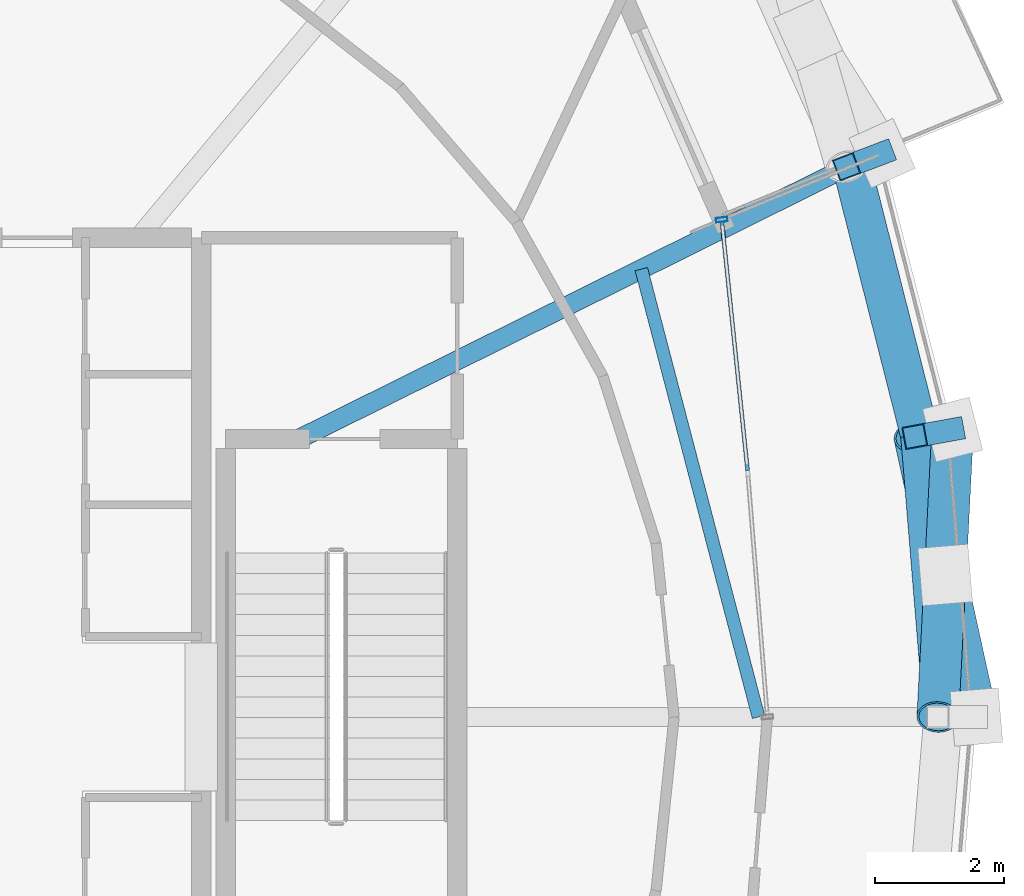
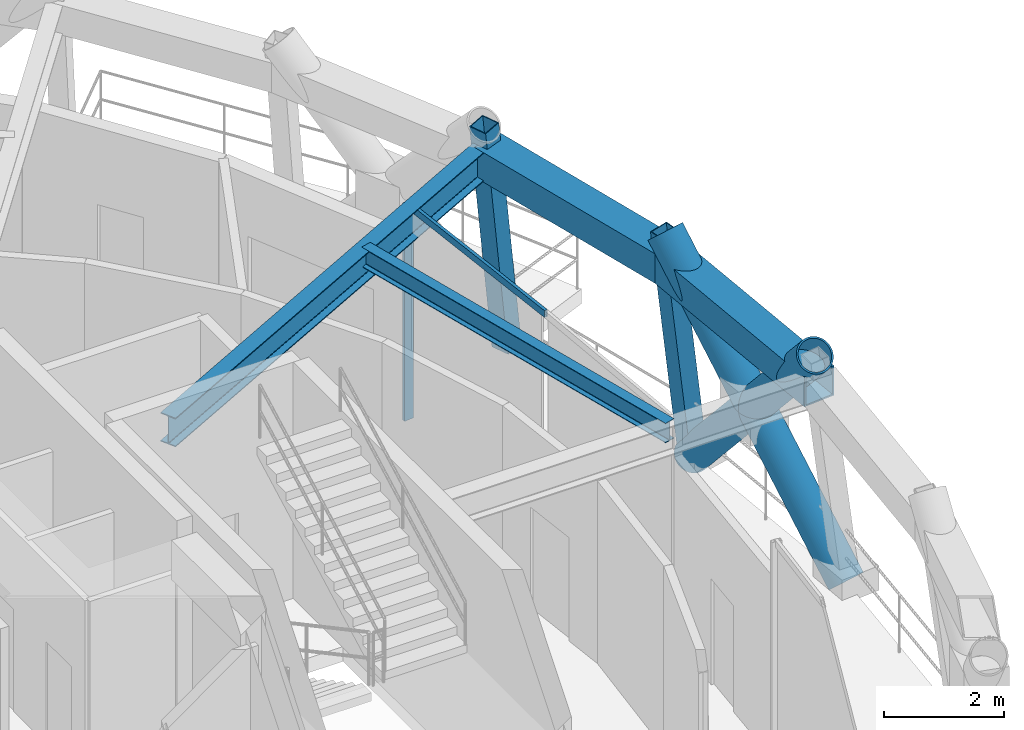
# One storey, part 4 of 11: 7 members, 4 beams, 1 element without a shape of its own.
"""IFC4 building model written with IfcOpenShell, lengths in metres."""

from ifc_helpers import new_model, si_unit, direction, frame, origin, origin_2d, place, context, subcontext, project, spatial, hollow_rectangle, hollow_circle, i_section, extrude, material, layer, layer_set, material_profile, profile_set, type_object, element, aggregate, save


model = new_model("IFC4")

# Units and contexts
model_context = context("Model", 3, precision=1e-05, world=origin(), true_north=direction((0.0, 1.0)))
body_context = subcontext(model_context, "Body", "Model", "MODEL_VIEW")
ifc_project = project(units=[si_unit("LENGTHUNIT", "METRE"), si_unit("AREAUNIT", "SQUARE_METRE"), si_unit("VOLUMEUNIT", "CUBIC_METRE"), si_unit("PLANEANGLEUNIT", "RADIAN"), si_unit("MASSUNIT", "GRAM", prefix="KILO")], contexts=[model_context])

# Site, building, storey
site_placement = place(None, origin())
site = spatial("IfcSite", under=ifc_project, at=site_placement, CompositionType="ELEMENT")
building_placement = place(site_placement, origin())
building = spatial("IfcBuilding", under=site, at=building_placement, Name="Veldorina Hangang Commons", CompositionType="ELEMENT")
storey_placement = place(building_placement, frame((0.0, 0.0, 297.60009765625)))
storey = spatial("IfcBuildingStorey", under=building, at=storey_placement, Name="L78", CompositionType="ELEMENT", Elevation=297.60009765625)

# Beams
ifc_material_1 = material(Name="Steel SM460-TMC", Category="steel")
ifc_material_profile_1 = material_profile(ifc_material_1, hollow_rectangle(XDim=0.60009765625, YDim=0.60009765625, WallThickness=0.030029296875, at=origin_2d()), Name="BOX-600x600x30")
ifc_profile_set_1 = profile_set([ifc_material_profile_1], Name="Steel SM460-TMC")
beam_type_1 = type_object("IfcBeamType", Name="BM-BLT600", PredefinedType="BEAM", material=ifc_profile_set_1)
beam_1_placement = place(storey_placement, frame((50.732421875, 24.0, 4.139892578125), z_axis=(-0.081977609852, 0.99663417134, 0.0), x_axis=(-0.99663417134, -0.081977609852, 0.0)))
element("IfcBeam", 1, at=beam_1_placement, inside=storey, type_object=beam_type_1, Name="L78 perimeter hoop ring beam 00", PredefinedType="BEAM", context=body_context, shape_type="SweptSolid", body=[
    extrude(hollow_rectangle(XDim=0.60009765625, YDim=0.60009765625, WallThickness=0.030029296875, at=origin_2d()), origin(), (0.0, 0.0, 1.0), 4.389892578125),
])
beam_2_placement = place(storey_placement, frame((50.37255859375, 28.375, 4.139892578125), z_axis=(-0.245618613612, 0.969366544011, 0.0), x_axis=(-0.969366544011, -0.245618613612, 0.0)))
element("IfcBeam", 2, at=beam_2_placement, inside=storey, type_object=beam_type_1, Name="L78 perimeter hoop ring beam 01", PredefinedType="BEAM", context=body_context, shape_type="SweptSolid", body=[
    extrude(hollow_rectangle(XDim=0.60009765625, YDim=0.60009765625, WallThickness=0.030029296875, at=origin_2d()), origin(), (0.0, 0.0, 1.0), 4.33984375),
])
ifc_material_profile_2 = material_profile(ifc_material_1, i_section(OverallWidth=0.300048828125, OverallDepth=0.587890625, WebThickness=0.011962890625, FlangeThickness=0.02001953125, FilletRadius=0.01806640625, at=origin_2d()), Name="H-588x300x12x20")
ifc_profile_set_2 = profile_set([ifc_material_profile_2], Name="Steel SM460-TMC")
beam_type_2 = type_object("IfcBeamType", Name="BM-FG588", PredefinedType="BEAM", material=ifc_profile_set_2)
beam_3_placement = place(storey_placement, frame((40.7119140625, 28.320068359375, 4.14599609375), z_axis=(0.895908476536, 0.444238676469, 0.0), x_axis=(-0.444238676469, 0.895908476536, 0.0)))
element("IfcBeam", 3, at=beam_3_placement, inside=storey, type_object=beam_type_2, Name="L78 radial floor girder 02", PredefinedType="BEAM", context=body_context, shape_type="SweptSolid", body=[
    extrude(i_section(OverallWidth=0.300048828125, OverallDepth=0.587890625, WebThickness=0.011962890625, FlangeThickness=0.02001953125, FilletRadius=0.01806640625, at=origin_2d()), origin(), (0.0, 0.0, 1.0), 9.59326171875),
])
ifc_material_2 = material(Name="Steel SM355-TMC", Category="steel")
ifc_material_profile_3 = material_profile(ifc_material_2, i_section(OverallWidth=0.199951171875, OverallDepth=0.39990234375, WebThickness=0.008056640625, FlangeThickness=0.012939453125, FilletRadius=0.012939453125, at=origin_2d()), Name="H-400x200x8x13")
ifc_profile_set_3 = profile_set([ifc_material_profile_3], Name="Steel SM355-TMC")
beam_type_3 = type_object("IfcBeamType", Name="BM-JST400", PredefinedType="JOIST", material=ifc_profile_set_3)
beam_4_placement = place(storey_placement, frame((47.862548828125, 24.0, 4.239990234375), z_axis=(-0.253168913054, 0.967422090643, 0.0), x_axis=(-0.967422090643, -0.253168913054, 0.0)))
element("IfcBeam", 4, at=beam_4_placement, inside=storey, type_object=beam_type_3, Name="L78 secondary floor joist 01", PredefinedType="JOIST", context=body_context, shape_type="SweptSolid", body=[
    extrude(i_section(OverallWidth=0.199951171875, OverallDepth=0.39990234375, WebThickness=0.008056640625, FlangeThickness=0.012939453125, FilletRadius=0.012939453125, at=origin_2d()), origin(), (0.0, 0.0, 1.0), 7.19677734375),
])

# Curtain wall, members
ifc_material_3 = material(Name="Glass Acoustic Laminated", Category="glass")
ifc_layer = layer(ifc_material_3, 0.179931640625)
ifc_layer_set = layer_set([ifc_layer], Name="Glass Acoustic Laminated")
curtain_wall_type = type_object("IfcCurtainWallType", Name="CW-SYS-SKY", PredefinedType="NOTDEFINED", material=ifc_layer_set)
curtain_wall_placement = place(storey_placement, origin())
curtain_wall = element("IfcCurtainWall", 5, at=curtain_wall_placement, inside=storey, type_object=curtain_wall_type, Name="L78 unitised curtain wall CW-L78-R1", PredefinedType="NOTDEFINED")
ifc_material_4 = material(Name="Aluminium Anodized AA6063-T6", Category="aluminium")
ifc_material_profile_4 = material_profile(ifc_material_4, hollow_rectangle(XDim=0.070068359375, YDim=0.179931640625, WallThickness=0.00390625, at=origin_2d()), Name="ALU-RHS-180x70x4")
ifc_profile_set_4 = profile_set([ifc_material_profile_4], Name="Aluminium Anodized AA6063-T6")
member_type_1 = type_object("IfcMemberType", Name="CW-MUL-180", PredefinedType="MULLION", material=ifc_profile_set_4)
member_1_placement = place(storey_placement, frame((47.290283203125, 31.730224609375, 0.0), z_axis=(0.0, 0.0, 1.0), x_axis=(0.10272309318, -0.994709990966, 0.0)))
member_1 = element("IfcMember", 6, at=member_1_placement, type_object=member_type_1, Name="CW-L78-R1 vertical mullion 2", PredefinedType="MULLION", context=body_context, shape_type="SweptSolid", body=[
    extrude(hollow_rectangle(XDim=0.070068359375, YDim=0.179931640625, WallThickness=0.00390625, at=origin_2d()), origin(), (0.0, 0.0, 1.0), 4.39990234375),
])
ifc_material_profile_5 = material_profile(ifc_material_4, hollow_rectangle(XDim=0.06005859375, YDim=0.139892578125, WallThickness=0.00341796875, at=origin_2d()), Name="ALU-RHS-140x60x3.5")
ifc_profile_set_5 = profile_set([ifc_material_profile_5], Name="Aluminium Anodized AA6063-T6")
member_type_2 = type_object("IfcMemberType", Name="CW-TRN-140", PredefinedType="USERDEFINED", material=ifc_profile_set_5)
member_2_placement = place(storey_placement, frame((47.692626953125, 27.83349609375, 4.35986328125), z_axis=(-0.102705659536, 0.994711791173, 0.0), x_axis=(-0.994711791173, -0.102705659536, 0.0)))
member_2 = element("IfcMember", 7, at=member_2_placement, type_object=member_type_2, Name="CW-L78-R1 facet 2 transom 1", ObjectType="TRANSOM", PredefinedType="USERDEFINED", context=body_context, shape_type="SweptSolid", body=[
    extrude(hollow_rectangle(XDim=0.06005859375, YDim=0.139892578125, WallThickness=0.00341796875, at=origin_2d()), origin(), (0.0, 0.0, 1.0), 3.91748046875),
])
aggregate(curtain_wall, [member_1, member_2])

# Members
ifc_material_profile_6 = material_profile(ifc_material_1, hollow_circle(Radius=0.324951171875, WallThickness=0.031982421875, at=origin_2d()), Name="CHS-650x32")
ifc_profile_set_6 = profile_set([ifc_material_profile_6], Name="Steel SM460-TMC")
member_type_3 = type_object("IfcMemberType", Name="DG-CHS650", PredefinedType="BRACE", material=ifc_profile_set_6)
member_3_placement = place(storey_placement, frame((51.25, 24.0, 0.0), z_axis=(-0.146221141226, 0.665183286371, 0.732223035278), x_axis=(-0.976681173654, -0.214694864936, 0.0)))
element("IfcMember", 8, at=member_3_placement, inside=storey, type_object=member_type_3, Name="L78 continuous perimeter diagrid brace 00", PredefinedType="BRACE", context=body_context, shape_type="SweptSolid", body=[
    extrude(hollow_circle(Radius=0.324951171875, WallThickness=0.031982421875, at=origin_2d()), origin(), (0.0, 0.0, 1.0), 6.55517578125),
])
member_4_placement = place(storey_placement, frame((50.880126953125, 28.467529296875, 0.0), z_axis=(-0.03470467364, -0.680858639625, 0.731592166768), x_axis=(0.998703457471, -0.050905834981, 0.0)))
element("IfcMember", 9, at=member_4_placement, inside=storey, type_object=member_type_3, Name="L78 split perimeter diagrid lower brace 01", PredefinedType="BRACE", context=body_context, shape_type="SweptSolid", body=[
    extrude(hollow_circle(Radius=0.324951171875, WallThickness=0.031982421875, at=origin_2d()), origin(), (0.0, 0.0, 1.0), 3.3203125),
])
member_5_placement = place(storey_placement, frame((50.764892578125, 26.206787109375, 2.42919921875), z_axis=(-0.035481853182, -0.680935182405, 0.731483639911), x_axis=(0.998645160815, -0.05203693669, 0.0)))
element("IfcMember", 10, at=member_5_placement, inside=storey, type_object=member_type_3, Name="L78 split perimeter diagrid upper brace 01", PredefinedType="BRACE", context=body_context, shape_type="SweptSolid", body=[
    extrude(hollow_circle(Radius=0.324951171875, WallThickness=0.031982421875, at=origin_2d()), origin(), (0.0, 0.0, 1.0), 3.24072265625),
])
ifc_material_profile_7 = material_profile(ifc_material_2, hollow_rectangle(XDim=0.35009765625, YDim=0.35009765625, WallThickness=0.01611328125, at=origin_2d()), Name="SHS-350x350x16")
ifc_profile_set_7 = profile_set([ifc_material_profile_7], Name="Steel SM355-TMC")
member_type_4 = type_object("IfcMemberType", Name="STR-SHS350", PredefinedType="STRUT", material=ifc_profile_set_7)
member_6_placement = place(storey_placement, frame((50.880126953125, 28.467529296875, 0.0), z_axis=(-0.121693008589, -0.022158121431, 0.992320426735), x_axis=(0.179136795154, -0.983824175664, 0.0)))
element("IfcMember", 11, at=member_6_placement, inside=storey, type_object=member_type_4, Name="L78 perimeter ring node post 01", PredefinedType="STRUT", context=body_context, shape_type="SweptSolid", body=[
    extrude(hollow_rectangle(XDim=0.35009765625, YDim=0.35009765625, WallThickness=0.01611328125, at=origin_2d()), origin(), (0.0, 0.0, 1.0), 4.8369140625),
])
member_7_placement = place(storey_placement, frame((49.78466796875, 32.763427734375, 0.0), z_axis=(-0.114592176879, -0.043514738533, 0.992459117812), x_axis=(0.355001829231, -0.934865605979, 0.0)))
element("IfcMember", 12, at=member_7_placement, inside=storey, type_object=member_type_4, Name="L78 perimeter ring node post 02", PredefinedType="STRUT", context=body_context, shape_type="SweptSolid", body=[
    extrude(hollow_rectangle(XDim=0.35009765625, YDim=0.35009765625, WallThickness=0.01611328125, at=origin_2d()), origin(), (0.0, 0.0, 1.0), 4.836181640625),
])

save(model, "model.ifc")
